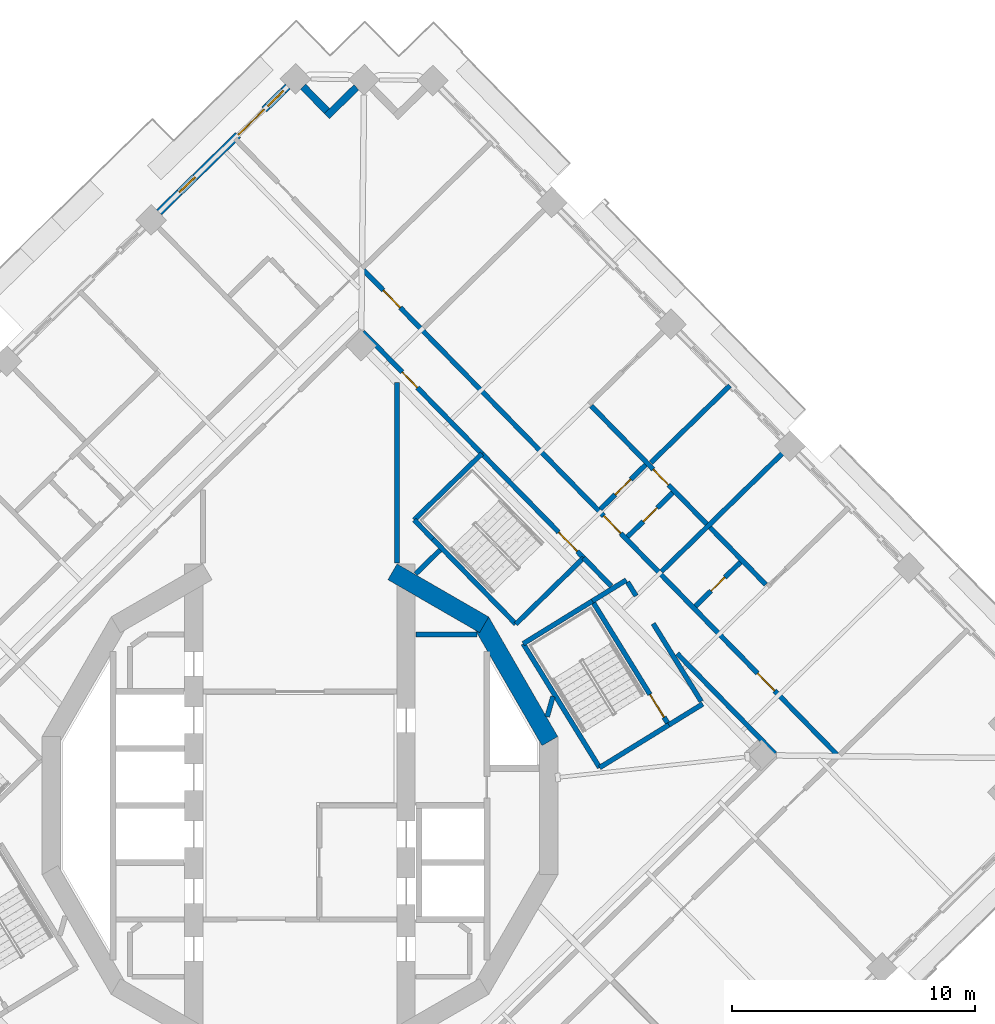
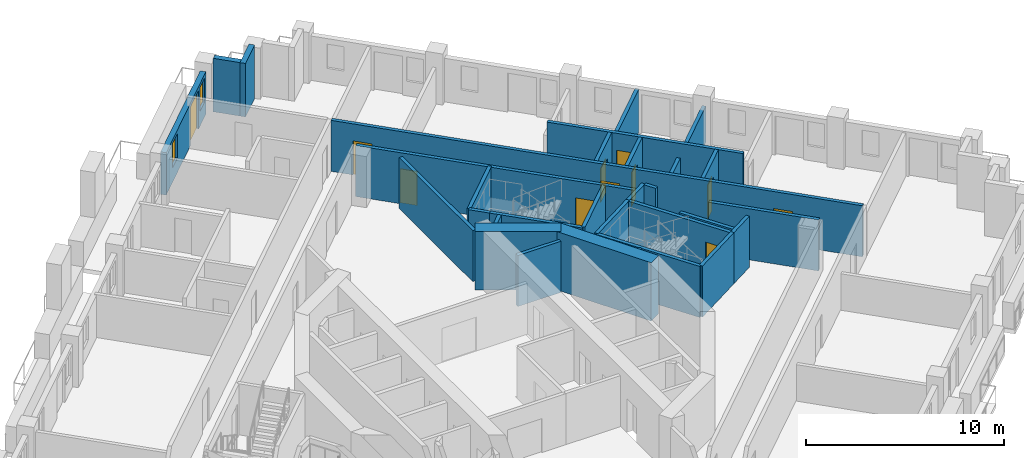
# One storey, part 11 of 19: 32 walls, 11 doors, 2 windows, 13 openings.
"""IFC4 building model written with IfcOpenShell, lengths in metres."""

from ifc_helpers import new_model, si_unit, direction, frame, frame_2d, origin, place, context, subcontext, project, spatial, rectangle, extrude, material, layer, layer_set, type_object, element, fill, save


model = new_model("IFC4")

# Units and contexts
model_context = context("Model", 3, precision=1e-05, world=origin(), true_north=direction((0.0, 1.0)))
body_context = subcontext(model_context, "Body", "Model", "MODEL_VIEW")
ifc_project = project(units=[si_unit("LENGTHUNIT", "METRE"), si_unit("AREAUNIT", "SQUARE_METRE"), si_unit("VOLUMEUNIT", "CUBIC_METRE"), si_unit("PLANEANGLEUNIT", "RADIAN"), si_unit("MASSUNIT", "GRAM", prefix="KILO")], contexts=[model_context])

# Site, building, storey
site_placement = place(None, origin())
site = spatial("IfcSite", under=ifc_project, at=site_placement, CompositionType="ELEMENT")
building_placement = place(site_placement, origin())
building = spatial("IfcBuilding", under=site, at=building_placement, Name="Cantera Rosa Tower", CompositionType="ELEMENT")
storey_placement = place(building_placement, frame((0.0, 0.0, 241.39990234375)))
storey = spatial("IfcBuildingStorey", under=building, at=storey_placement, Name="L53", CompositionType="ELEMENT", Elevation=241.39990234375)

# Walls
ifc_material_1 = material(Name="Gypsum board partition")
ifc_layer_1 = layer(ifc_material_1, 0.199951171875)
ifc_layer_set_1 = layer_set([ifc_layer_1], Name="CORRIDOR WALL 200 H2100")
wall_type_1 = type_object("IfcWallType", Name="CORRIDOR WALL 200 H2100", PredefinedType="PARTITIONING", material=ifc_layer_set_1)
wall_1_placement = place(storey_placement, frame((16.53759765625, 4.291748046875, 0.0), z_axis=(0.0, 0.0, 1.0), x_axis=(-0.524978610061, 0.85111542048, 0.0)))
element("IfcWall", 1, at=wall_1_placement, inside=storey, type_object=wall_type_1, Name="CORRIDOR WALL L53-107", PredefinedType="PARTITIONING", context=body_context, shape_type="SweptSolid", body=[
    extrude(rectangle(XDim=3.7705078125, YDim=0.199951171875, at=frame_2d((1.88525390625, 0.0))), origin(), (0.0, 0.0, 1.0), 2.10009765625),
])
ifc_material_2 = material(Name="Gypsum board partition")
ifc_layer_2 = layer(ifc_material_2, 0.199951171875)
ifc_layer_set_2 = layer_set([ifc_layer_2], Name="CORRIDOR WALL 200 H3150")
wall_type_2 = type_object("IfcWallType", Name="CORRIDOR WALL 200 H3150", PredefinedType="PARTITIONING", material=ifc_layer_set_2)
wall_2_placement = place(storey_placement, frame((4.0, 9.994140625, 0.0), z_axis=(0.0, 0.0, 1.0), x_axis=(0.0, 1.0, 0.0)))
element("IfcWall", 2, at=wall_2_placement, inside=storey, type_object=wall_type_2, Name="CORRIDOR WALL L53-074", PredefinedType="PARTITIONING", context=body_context, shape_type="SweptSolid", body=[
    extrude(rectangle(XDim=7.44775390625, YDim=0.199951171875, at=frame_2d((3.723876953125, 0.0))), origin(), (0.0, 0.0, 1.0), 3.150146484375),
])

# Wall, opening, door
wall_3_placement = place(storey_placement, frame((7.498779296875, 14.50439453125, 0.0), z_axis=(0.0, 0.0, 1.0), x_axis=(-0.69881117118, 0.715306191106, 0.0)))
wall_3 = element("IfcWall", 3, at=wall_3_placement, inside=storey, type_object=wall_type_2, Name="CORRIDOR WALL L53-085", PredefinedType="PARTITIONING", context=body_context, shape_type="SweptSolid", body=[
    extrude(rectangle(XDim=7.015625, YDim=0.199951171875, at=frame_2d((3.5078125, 0.0))), origin(), (0.0, 0.0, 1.0), 3.150146484375),
])
opening_1_placement = place(wall_3_placement, frame((3.8056640625, 0.0, 0.0)))
opening_1 = element("IfcOpeningElement", 4, at=opening_1_placement, cuts=wall_3, Name="Opening L53-007", PredefinedType="OPENING", context=body_context, shape_type="SweptSolid", body=[
    extrude(rectangle(XDim=0.89990234375, YDim=2.10009765625, at=frame_2d((0.449951171875, 1.050048828125))), frame((0.0, 0.10986328125, 0.0), z_axis=(0.0, -1.0, 0.0), x_axis=(1.0, 0.0, 0.0)), (0.0, 0.0, 1.0), 0.219970703125),
])
ifc_material_3 = material(Name="Timber door leaf", Category="wood")
door_type_1 = type_object("IfcDoorType", Name="SERVICE DOOR 900x2100", OperationType="NOTDEFINED", PredefinedType="DOOR", material=ifc_material_3)
door_1_placement = place(opening_1_placement, origin())
door_1 = element("IfcDoor", 5, at=door_1_placement, inside=storey, type_object=door_type_1, Name="DOOR L53-007", OperationType="NOTDEFINED", OverallHeight=2.10009765625, OverallWidth=0.89990234375, PredefinedType="DOOR", context=body_context, shape_type="SweptSolid", body=[
    extrude(rectangle(XDim=0.89990234375, YDim=2.10009765625, at=frame_2d((0.449951171875, 1.050048828125))), frame((0.0, 0.02490234375, 0.0), z_axis=(0.0, -1.0, 0.0), x_axis=(1.0, 0.0, 0.0)), (0.0, 0.0, 1.0), 0.050048828125),
])
fill(opening_1, door_1)

# Walls
wall_4_placement = place(storey_placement, frame((12.05078125, 8.4326171875, 0.0), z_axis=(0.0, 0.0, 1.0), x_axis=(0.851076929832, 0.525041007453, 0.0)))
element("IfcWall", 6, at=wall_4_placement, inside=storey, type_object=wall_type_2, Name="CORRIDOR WALL L53-096", PredefinedType="PARTITIONING", context=body_context, shape_type="SweptSolid", body=[
    extrude(rectangle(XDim=1.645263671875, YDim=0.199951171875, at=frame_2d((0.82275390625, 0.0))), origin(), (0.0, 0.0, 1.0), 3.150146484375),
])
wall_5_placement = place(storey_placement, frame((12.828125, 9.0498046875, 0.0), z_axis=(0.0, 0.0, 1.0), x_axis=(-0.698800279723, 0.715316831242, 0.0)))
element("IfcWall", 7, at=wall_5_placement, inside=storey, type_object=wall_type_2, Name="CORRIDOR WALL L53-102", PredefinedType="PARTITIONING", context=body_context, shape_type="SweptSolid", body=[
    extrude(rectangle(XDim=1.6259765625, YDim=0.199951171875, at=frame_2d((0.81298828125, 0.0))), origin(), (0.0, 0.0, 1.0), 3.150146484375),
])
wall_6_placement = place(storey_placement, frame((15.20068359375, 3.325927734375, 0.0), z_axis=(0.0, 0.0, 1.0), x_axis=(0.8510360128, 0.525107327047, 0.0)))
element("IfcWall", 8, at=wall_6_placement, inside=storey, type_object=wall_type_2, Name="CORRIDOR WALL L53-106", PredefinedType="PARTITIONING", context=body_context, shape_type="SweptSolid", body=[
    extrude(rectangle(XDim=1.64501953125, YDim=0.199951171875, at=frame_2d((0.822509765625, 0.0))), origin(), (0.0, 0.0, 1.0), 3.150146484375),
])
wall_7_placement = place(storey_placement, frame((13.8525390625, 8.64501953125, 0.0), z_axis=(0.0, 0.0, 1.0), x_axis=(-0.52487540685, 0.851179068871, 0.0)))
element("IfcWall", 9, at=wall_7_placement, inside=storey, type_object=wall_type_2, Name="CORRIDOR WALL L53-108", PredefinedType="PARTITIONING", context=body_context, shape_type="SweptSolid", body=[
    extrude(rectangle(XDim=0.6650390625, YDim=0.199951171875, at=frame_2d((0.33251953125, 0.0))), origin(), (0.0, 0.0, 1.0), 3.150146484375),
])
wall_8_placement = place(storey_placement, frame((19.57763671875, 2.14111328125, 0.0), z_axis=(0.0, 0.0, 1.0), x_axis=(-0.698830151438, 0.715287648042, 0.0)))
element("IfcWall", 10, at=wall_8_placement, inside=storey, type_object=wall_type_2, Name="CORRIDOR WALL L53-114", PredefinedType="PARTITIONING", context=body_context, shape_type="SweptSolid", body=[
    extrude(rectangle(XDim=5.770751953125, YDim=0.199951171875, at=frame_2d((2.88525390625, 0.0))), origin(), (0.0, 0.0, 1.0), 3.150146484375),
])

# Wall, openings, doors
wall_9_placement = place(storey_placement, frame((22.123291015625, 2.111572265625, 0.0), z_axis=(0.0, 0.0, 1.0), x_axis=(-0.698833455684, 0.715284419806, 0.0)))
wall_9 = element("IfcWall", 11, at=wall_9_placement, inside=storey, type_object=wall_type_2, Name="CORRIDOR WALL L53-115", PredefinedType="PARTITIONING", context=body_context, shape_type="SweptSolid", body=[
    extrude(rectangle(XDim=27.900146484375, YDim=0.199951171875, at=frame_2d((13.9501953125, 0.0))), origin(), (0.0, 0.0, 1.0), 3.150146484375),
])
opening_2_placement = place(wall_9_placement, frame((3.669921875, 0.0, 0.0)))
opening_2 = element("IfcOpeningElement", 12, at=opening_2_placement, cuts=wall_9, Name="Opening L53-022", PredefinedType="OPENING", context=body_context, shape_type="SweptSolid", body=[
    extrude(rectangle(XDim=1.0, YDim=2.10009765625, at=frame_2d((0.5, 1.050048828125))), frame((0.0, 0.10986328125, 0.0), z_axis=(0.0, -1.0, 0.0), x_axis=(1.0, 0.0, 0.0)), (0.0, 0.0, 1.0), 0.219970703125),
])
opening_3_placement = place(wall_9_placement, frame((12.739990234375, 0.0, 0.0)))
opening_3 = element("IfcOpeningElement", 13, at=opening_3_placement, cuts=wall_9, Name="Opening L53-025", PredefinedType="OPENING", context=body_context, shape_type="SweptSolid", body=[
    extrude(rectangle(XDim=1.0, YDim=2.10009765625, at=frame_2d((0.5, 1.050048828125))), frame((0.0, 0.10986328125, 0.0), z_axis=(0.0, -1.0, 0.0), x_axis=(1.0, 0.0, 0.0)), (0.0, 0.0, 1.0), 0.219970703125),
])
opening_4_placement = place(wall_9_placement, frame((25.739990234375, 0.0, 0.0)))
opening_4 = element("IfcOpeningElement", 14, at=opening_4_placement, cuts=wall_9, Name="Opening L53-030", PredefinedType="OPENING", context=body_context, shape_type="SweptSolid", body=[
    extrude(rectangle(XDim=1.0, YDim=2.10009765625, at=frame_2d((0.5, 1.050048828125))), frame((0.0, 0.10986328125, 0.0), z_axis=(0.0, -1.0, 0.0), x_axis=(1.0, 0.0, 0.0)), (0.0, 0.0, 1.0), 0.219970703125),
])
ifc_material_4 = material(Name="Timber door leaf", Category="wood")
door_type_2 = type_object("IfcDoorType", Name="ENTRANCE DOOR 1000x2100", OperationType="NOTDEFINED", PredefinedType="DOOR", material=ifc_material_4)
door_2_placement = place(opening_2_placement, origin())
door_2 = element("IfcDoor", 15, at=door_2_placement, inside=storey, type_object=door_type_2, Name="DOOR L53-022", OperationType="NOTDEFINED", OverallHeight=2.10009765625, OverallWidth=1.0, PredefinedType="DOOR", context=body_context, shape_type="SweptSolid", body=[
    extrude(rectangle(XDim=1.0, YDim=2.10009765625, at=frame_2d((0.5, 1.050048828125))), frame((0.0, 0.02490234375, 0.0), z_axis=(0.0, -1.0, 0.0), x_axis=(1.0, 0.0, 0.0)), (0.0, 0.0, 1.0), 0.050048828125),
])
fill(opening_2, door_2)
door_3_placement = place(opening_3_placement, origin())
door_3 = element("IfcDoor", 16, at=door_3_placement, inside=storey, type_object=door_type_2, Name="DOOR L53-025", OperationType="NOTDEFINED", OverallHeight=2.10009765625, OverallWidth=1.0, PredefinedType="DOOR", context=body_context, shape_type="SweptSolid", body=[
    extrude(rectangle(XDim=1.0, YDim=2.10009765625, at=frame_2d((0.5, 1.050048828125))), frame((0.0, 0.02490234375, 0.0), z_axis=(0.0, -1.0, 0.0), x_axis=(1.0, 0.0, 0.0)), (0.0, 0.0, 1.0), 0.050048828125),
])
fill(opening_3, door_3)
ifc_material_5 = material(Name="Timber door leaf", Category="wood")
door_type_3 = type_object("IfcDoorType", Name="ROOM DOOR 1000x2100", OperationType="NOTDEFINED", PredefinedType="DOOR", material=ifc_material_5)
door_4_placement = place(opening_4_placement, origin())
door_4 = element("IfcDoor", 17, at=door_4_placement, inside=storey, type_object=door_type_3, Name="DOOR L53-030", OperationType="NOTDEFINED", OverallHeight=2.10009765625, OverallWidth=1.0, PredefinedType="DOOR", context=body_context, shape_type="SweptSolid", body=[
    extrude(rectangle(XDim=1.0, YDim=2.10009765625, at=frame_2d((0.5, 1.050048828125))), frame((0.0, 0.02490234375, 0.0), z_axis=(0.0, -1.0, 0.0), x_axis=(1.0, 0.0, 0.0)), (0.0, 0.0, 1.0), 0.050048828125),
])
fill(opening_4, door_4)

# Walls
ifc_material_6 = material(Name="Hollow clay masonry with cantera stone cladding", Category="masonry")
ifc_layer_3 = layer(ifc_material_6, 0.300048828125)
ifc_layer_set_3 = layer_set([ifc_layer_3], Name="EW-LOGGIA 300")
wall_type_3 = type_object("IfcWallType", Name="EW-LOGGIA 300", PredefinedType="SOLIDWALL", material=ifc_layer_set_3)
wall_10_placement = place(storey_placement, frame((2.324462890625, 29.602783203125, 0.0), z_axis=(0.0, 0.0, 1.0), x_axis=(-0.715316077832, -0.69880105094, 0.0)))
element("IfcWall", 18, at=wall_10_placement, inside=storey, type_object=wall_type_3, Name="EN-L53-W06a", PredefinedType="SOLIDWALL", context=body_context, shape_type="SweptSolid", body=[
    extrude(rectangle(XDim=1.699951171875, YDim=0.300048828125, at=frame_2d((0.85009765625, 0.0))), origin(), (0.0, 0.0, 1.0), 3.300048828125),
])
wall_11_placement = place(storey_placement, frame((1.111083984375, 28.626953125, 0.0), z_axis=(0.0, 0.0, 1.0), x_axis=(-0.698951192766, 0.71516937164, 0.0)))
element("IfcWall", 19, at=wall_11_placement, inside=storey, type_object=wall_type_3, Name="EN-L53-W06b", PredefinedType="SOLIDWALL", context=body_context, shape_type="SweptSolid", body=[
    extrude(rectangle(XDim=1.39990234375, YDim=0.300048828125, at=frame_2d((0.699951171875, 0.0))), origin(), (0.0, 0.0, 1.0), 3.300048828125),
])

# Wall, openings, windows, door
ifc_material_7 = material(Name="Hollow clay masonry with cantera stone cladding", Category="masonry")
ifc_layer_4 = layer(ifc_material_7, 0.300048828125)
ifc_layer_set_4 = layer_set([ifc_layer_4], Name="EW-LOGGIA 300 H2620")
wall_type_4 = type_object("IfcWallType", Name="EW-LOGGIA 300 H2620", PredefinedType="SOLIDWALL", material=ifc_layer_set_4)
wall_12_placement = place(storey_placement, frame((-0.503662109375, 29.6357421875, 0.0), z_axis=(0.0, 0.0, 1.0), x_axis=(-0.715284379566, -0.698833496871, 0.0)))
wall_12 = element("IfcWall", 20, at=wall_12_placement, inside=storey, type_object=wall_type_4, Name="EN-L53-W07", PredefinedType="SOLIDWALL", context=body_context, shape_type="SweptSolid", body=[
    extrude(rectangle(XDim=7.42041015625, YDim=0.300048828125, at=frame_2d((3.710205078125, 0.0))), origin(), (0.0, 0.0, 1.0), 2.6201171875),
])
opening_5_placement = place(wall_12_placement, frame((0.25, 0.0, 0.89990234375)))
opening_5 = element("IfcOpeningElement", 21, at=opening_5_placement, cuts=wall_12, Name="Opening L53-W13", PredefinedType="OPENING", context=body_context, shape_type="SweptSolid", body=[
    extrude(rectangle(XDim=0.89990234375, YDim=1.5, at=frame_2d((0.449951171875, 0.75))), frame((0.0, 0.159912109375, 0.0), z_axis=(0.0, -1.0, 0.0), x_axis=(1.0, 0.0, 0.0)), (0.0, 0.0, 1.0), 0.320068359375),
])
opening_6_placement = place(wall_12_placement, frame((1.35009765625, 0.0, 0.0)))
opening_6 = element("IfcOpeningElement", 22, at=opening_6_placement, cuts=wall_12, Name="Opening L53-TD14", PredefinedType="OPENING", context=body_context, shape_type="SweptSolid", body=[
    extrude(rectangle(XDim=1.5, YDim=2.39990234375, at=frame_2d((0.75, 1.199951171875))), frame((0.0, 0.159912109375, 0.0), z_axis=(0.0, -1.0, 0.0), x_axis=(1.0, 0.0, 0.0)), (0.0, 0.0, 1.0), 0.320068359375),
])
opening_7_placement = place(wall_12_placement, frame((5.340087890625, 0.0, 0.89990234375)))
opening_7 = element("IfcOpeningElement", 23, at=opening_7_placement, cuts=wall_12, Name="Opening L53-W15", PredefinedType="OPENING", context=body_context, shape_type="SweptSolid", body=[
    extrude(rectangle(XDim=0.89990234375, YDim=1.5, at=frame_2d((0.449951171875, 0.75))), frame((0.0, 0.159912109375, 0.0), z_axis=(0.0, -1.0, 0.0), x_axis=(1.0, 0.0, 0.0)), (0.0, 0.0, 1.0), 0.320068359375),
])
ifc_material_8 = material(Name="Aluminium frame with clear glass", Category="aluminium")
window_type = type_object("IfcWindowType", Name="Residential window 900x1500", PartitioningType="SINGLE_PANEL", PredefinedType="WINDOW", material=ifc_material_8)
window_1_placement = place(opening_5_placement, origin())
window_1 = element("IfcWindow", 24, at=window_1_placement, inside=storey, type_object=window_type, Name="WINDOW L53-W13", OverallHeight=1.5, OverallWidth=0.89990234375, PartitioningType="SINGLE_PANEL", PredefinedType="WINDOW", context=body_context, shape_type="SweptSolid", body=[
    extrude(rectangle(XDim=0.89990234375, YDim=1.5, at=frame_2d((0.449951171875, 0.75))), frame((0.0, 0.030029296875, 0.0), z_axis=(0.0, -1.0, 0.0), x_axis=(1.0, 0.0, 0.0)), (0.0, 0.0, 1.0), 0.06005859375),
])
fill(opening_5, window_1)
window_2_placement = place(opening_7_placement, origin())
window_2 = element("IfcWindow", 25, at=window_2_placement, inside=storey, type_object=window_type, Name="WINDOW L53-W15", OverallHeight=1.5, OverallWidth=0.89990234375, PartitioningType="SINGLE_PANEL", PredefinedType="WINDOW", context=body_context, shape_type="SweptSolid", body=[
    extrude(rectangle(XDim=0.89990234375, YDim=1.5, at=frame_2d((0.449951171875, 0.75))), frame((0.0, 0.030029296875, 0.0), z_axis=(0.0, -1.0, 0.0), x_axis=(1.0, 0.0, 0.0)), (0.0, 0.0, 1.0), 0.06005859375),
])
fill(opening_7, window_2)
ifc_material_9 = material(Name="Aluminium frame with clear glass", Category="aluminium")
door_type_4 = type_object("IfcDoorType", Name="TD-R 1500x2400", OperationType="NOTDEFINED", PredefinedType="DOOR", material=ifc_material_9)
door_5_placement = place(opening_6_placement, origin())
door_5 = element("IfcDoor", 26, at=door_5_placement, inside=storey, type_object=door_type_4, Name="LOGGIA DOOR L53-TD14", OperationType="SLIDING_TO_LEFT", OverallHeight=2.39990234375, OverallWidth=1.5, PredefinedType="DOOR", context=body_context, shape_type="SweptSolid", body=[
    extrude(rectangle(XDim=1.5, YDim=2.39990234375, at=frame_2d((0.75, 1.199951171875))), frame((0.0, 0.02490234375, 0.0), z_axis=(0.0, -1.0, 0.0), x_axis=(1.0, 0.0, 0.0)), (0.0, 0.0, 1.0), 0.050048828125),
])
fill(opening_6, door_5)

# Walls
ifc_material_10 = material(Name="Gypsum board partition")
ifc_layer_5 = layer(ifc_material_10, 0.199951171875)
ifc_layer_set_5 = layer_set([ifc_layer_5], Name="PARTITION 200 H2650")
wall_type_5 = type_object("IfcWallType", Name="PARTITION 200 H2650", PredefinedType="PARTITIONING", material=ifc_layer_set_5)
wall_13_placement = place(storey_placement, frame((14.463134765625, 14.13037109375, 0.0), z_axis=(0.0, 0.0, 1.0), x_axis=(0.715268883314, 0.698849357561, 0.0)))
element("IfcWall", 27, at=wall_13_placement, inside=storey, type_object=wall_type_5, Name="PARTITION L53-104", PredefinedType="PARTITIONING", context=body_context, shape_type="SweptSolid", body=[
    extrude(rectangle(XDim=4.5498046875, YDim=0.199951171875, at=frame_2d((2.27490234375, 0.0))), origin(), (0.0, 0.0, 1.0), 2.650146484375),
])
ifc_material_11 = material(Name="Gypsum board partition")
ifc_layer_6 = layer(ifc_material_11, 0.199951171875)
ifc_layer_set_6 = layer_set([ifc_layer_6], Name="PARTITION 200 H3150")
wall_type_6 = type_object("IfcWallType", Name="PARTITION 200 H3150", PredefinedType="PARTITIONING", material=ifc_layer_set_6)
wall_14_placement = place(storey_placement, frame((4.780029296875, 7.050048828125, 0.0), z_axis=(0.0, 0.0, 1.0), x_axis=(1.0, 0.0, 0.0)))
element("IfcWall", 28, at=wall_14_placement, inside=storey, type_object=wall_type_6, Name="PARTITION L53-077", PredefinedType="PARTITIONING", context=body_context, shape_type="SweptSolid", body=[
    extrude(rectangle(XDim=2.517822265625, YDim=0.199951171875, at=frame_2d((1.2587890625, 0.0))), origin(), (0.0, 0.0, 1.0), 3.150146484375),
])
wall_15_placement = place(storey_placement, frame((5.776123046875, 10.536376953125, 0.0), z_axis=(0.0, 0.0, 1.0), x_axis=(-0.715283583322, -0.698834311858, 0.0)))
element("IfcWall", 29, at=wall_15_placement, inside=storey, type_object=wall_type_6, Name="PARTITION L53-080", PredefinedType="PARTITIONING", context=body_context, shape_type="SweptSolid", body=[
    extrude(rectangle(XDim=1.409912109375, YDim=0.199951171875, at=frame_2d((0.705078125, 0.0))), origin(), (0.0, 0.0, 1.0), 3.150146484375),
])
wall_16_placement = place(storey_placement, frame((10.188720703125, 3.6630859375, 0.0), z_axis=(0.0, 0.0, 1.0), x_axis=(0.272940472287, 0.962030923925, 0.0)))
element("IfcWall", 30, at=wall_16_placement, inside=storey, type_object=wall_type_6, Name="PARTITION L53-092", PredefinedType="PARTITIONING", context=body_context, shape_type="SweptSolid", body=[
    extrude(rectangle(XDim=0.869384765625, YDim=0.199951171875, at=frame_2d((0.4345703125, 0.0))), origin(), (0.0, 0.0, 1.0), 3.150146484375),
])

# Wall, opening, door
wall_17_placement = place(storey_placement, frame((12.383056640625, 12.22412109375, 0.0), z_axis=(0.0, 0.0, 1.0), x_axis=(0.715321599766, 0.698795398459, 0.0)))
wall_17 = element("IfcWall", 31, at=wall_17_placement, inside=storey, type_object=wall_type_6, Name="PARTITION L53-098", PredefinedType="PARTITIONING", context=body_context, shape_type="SweptSolid", body=[
    extrude(rectangle(XDim=2.60009765625, YDim=0.199951171875, at=frame_2d((1.300048828125, 0.0))), origin(), (0.0, 0.0, 1.0), 3.150146484375),
])
opening_8_placement = place(wall_17_placement, frame((0.85009765625, 0.0, 0.0)))
opening_8 = element("IfcOpeningElement", 32, at=opening_8_placement, cuts=wall_17, Name="Opening L53-027", PredefinedType="OPENING", context=body_context, shape_type="SweptSolid", body=[
    extrude(rectangle(XDim=0.89990234375, YDim=2.10009765625, at=frame_2d((0.449951171875, 1.050048828125))), frame((0.0, 0.10986328125, 0.0), z_axis=(0.0, -1.0, 0.0), x_axis=(1.0, 0.0, 0.0)), (0.0, 0.0, 1.0), 0.219970703125),
])
ifc_material_12 = material(Name="Timber door leaf", Category="wood")
door_type_5 = type_object("IfcDoorType", Name="ROOM DOOR 900x2100", OperationType="NOTDEFINED", PredefinedType="DOOR", material=ifc_material_12)
door_6_placement = place(opening_8_placement, origin())
door_6 = element("IfcDoor", 33, at=door_6_placement, inside=storey, type_object=door_type_5, Name="DOOR L53-027", OperationType="NOTDEFINED", OverallHeight=2.10009765625, OverallWidth=0.89990234375, PredefinedType="DOOR", context=body_context, shape_type="SweptSolid", body=[
    extrude(rectangle(XDim=0.89990234375, YDim=2.10009765625, at=frame_2d((0.449951171875, 1.050048828125))), frame((0.0, 0.02490234375, 0.0), z_axis=(0.0, -1.0, 0.0), x_axis=(1.0, 0.0, 0.0)), (0.0, 0.0, 1.0), 0.050048828125),
])
fill(opening_8, door_6)

wall_18_placement = place(storey_placement, frame((13.501220703125, 11.07958984375, 0.0), z_axis=(0.0, 0.0, 1.0), x_axis=(0.715321599766, 0.698795398459, 0.0)))
wall_18 = element("IfcWall", 34, at=wall_18_placement, inside=storey, type_object=wall_type_6, Name="PARTITION L53-103", PredefinedType="PARTITIONING", context=body_context, shape_type="SweptSolid", body=[
    extrude(rectangle(XDim=2.60009765625, YDim=0.199951171875, at=frame_2d((1.300048828125, 0.0))), origin(), (0.0, 0.0, 1.0), 3.150146484375),
])
opening_9_placement = place(wall_18_placement, frame((0.89990234375, 0.0, 0.0)))
opening_9 = element("IfcOpeningElement", 35, at=opening_9_placement, cuts=wall_18, Name="Opening L53-026", PredefinedType="OPENING", context=body_context, shape_type="SweptSolid", body=[
    extrude(rectangle(XDim=0.800048828125, YDim=2.10009765625, at=frame_2d((0.39990234375, 1.050048828125))), frame((0.0, 0.10986328125, 0.0), z_axis=(0.0, -1.0, 0.0), x_axis=(1.0, 0.0, 0.0)), (0.0, 0.0, 1.0), 0.219970703125),
])
ifc_material_13 = material(Name="Timber door leaf", Category="wood")
door_type_6 = type_object("IfcDoorType", Name="BATHROOM DOOR 800x2100", OperationType="NOTDEFINED", PredefinedType="DOOR", material=ifc_material_13)
door_7_placement = place(opening_9_placement, origin())
door_7 = element("IfcDoor", 36, at=door_7_placement, inside=storey, type_object=door_type_6, Name="DOOR L53-026", OperationType="NOTDEFINED", OverallHeight=2.10009765625, OverallWidth=0.800048828125, PredefinedType="DOOR", context=body_context, shape_type="SweptSolid", body=[
    extrude(rectangle(XDim=0.800048828125, YDim=2.10009765625, at=frame_2d((0.39990234375, 1.050048828125))), frame((0.0, 0.02490234375, 0.0), z_axis=(0.0, -1.0, 0.0), x_axis=(1.0, 0.0, 0.0)), (0.0, 0.0, 1.0), 0.050048828125),
])
fill(opening_9, door_7)

wall_19_placement = place(storey_placement, frame((18.15625, 10.035400390625, 0.0), z_axis=(0.0, 0.0, 1.0), x_axis=(-0.715321599766, -0.698795398459, 0.0)))
wall_19 = element("IfcWall", 37, at=wall_19_placement, inside=storey, type_object=wall_type_6, Name="PARTITION L53-109", PredefinedType="PARTITIONING", context=body_context, shape_type="SweptSolid", body=[
    extrude(rectangle(XDim=2.60009765625, YDim=0.199951171875, at=frame_2d((1.300048828125, 0.0))), origin(), (0.0, 0.0, 1.0), 3.150146484375),
])
opening_10_placement = place(wall_19_placement, frame((0.89990234375, 0.0, 0.0)))
opening_10 = element("IfcOpeningElement", 38, at=opening_10_placement, cuts=wall_19, Name="Opening L53-023", PredefinedType="OPENING", context=body_context, shape_type="SweptSolid", body=[
    extrude(rectangle(XDim=0.800048828125, YDim=2.10009765625, at=frame_2d((0.39990234375, 1.050048828125))), frame((0.0, 0.10986328125, 0.0), z_axis=(0.0, -1.0, 0.0), x_axis=(1.0, 0.0, 0.0)), (0.0, 0.0, 1.0), 0.219970703125),
])
door_8_placement = place(opening_10_placement, origin())
door_8 = element("IfcDoor", 39, at=door_8_placement, inside=storey, type_object=door_type_6, Name="DOOR L53-023", OperationType="NOTDEFINED", OverallHeight=2.10009765625, OverallWidth=0.800048828125, PredefinedType="DOOR", context=body_context, shape_type="SweptSolid", body=[
    extrude(rectangle(XDim=0.800048828125, YDim=2.10009765625, at=frame_2d((0.39990234375, 1.050048828125))), frame((0.0, 0.02490234375, 0.0), z_axis=(0.0, -1.0, 0.0), x_axis=(1.0, 0.0, 0.0)), (0.0, 0.0, 1.0), 0.050048828125),
])
fill(opening_10, door_8)

wall_20_placement = place(storey_placement, frame((19.19921875, 9.111083984375, 0.0), z_axis=(0.0, 0.0, 1.0), x_axis=(-0.698837785219, 0.715280189821, 0.0)))
wall_20 = element("IfcWall", 40, at=wall_20_placement, inside=storey, type_object=wall_type_6, Name="PARTITION L53-113", PredefinedType="PARTITIONING", context=body_context, shape_type="SweptSolid", body=[
    extrude(rectangle(XDim=10.289794921875, YDim=0.199951171875, at=frame_2d((5.14501953125, 0.0))), origin(), (0.0, 0.0, 1.0), 3.150146484375),
])
opening_11_placement = place(wall_20_placement, frame((5.739990234375, 0.0, 0.0)))
opening_11 = element("IfcOpeningElement", 41, at=opening_11_placement, cuts=wall_20, Name="Opening L53-028", PredefinedType="OPENING", context=body_context, shape_type="SweptSolid", body=[
    extrude(rectangle(XDim=0.89990234375, YDim=2.10009765625, at=frame_2d((0.449951171875, 1.050048828125))), frame((0.0, 0.10986328125, 0.0), z_axis=(0.0, -1.0, 0.0), x_axis=(1.0, 0.0, 0.0)), (0.0, 0.0, 1.0), 0.219970703125),
])
door_9_placement = place(opening_11_placement, origin())
door_9 = element("IfcDoor", 42, at=door_9_placement, inside=storey, type_object=door_type_5, Name="DOOR L53-028", OperationType="NOTDEFINED", OverallHeight=2.10009765625, OverallWidth=0.89990234375, PredefinedType="DOOR", context=body_context, shape_type="SweptSolid", body=[
    extrude(rectangle(XDim=0.89990234375, YDim=2.10009765625, at=frame_2d((0.449951171875, 1.050048828125))), frame((0.0, 0.02490234375, 0.0), z_axis=(0.0, -1.0, 0.0), x_axis=(1.0, 0.0, 0.0)), (0.0, 0.0, 1.0), 0.050048828125),
])
fill(opening_11, door_9)

# Walls
ifc_material_14 = material(Name="Gypsum board partition")
ifc_layer_7 = layer(ifc_material_14, 0.199951171875)
ifc_layer_set_7 = layer_set([ifc_layer_7], Name="PARTY WALL 200 H2250")
wall_type_7 = type_object("IfcWallType", Name="PARTY WALL 200 H2250", PredefinedType="PARTITIONING", material=ifc_layer_set_7)
wall_21_placement = place(storey_placement, frame((14.89892578125, 9.64892578125, 0.0), z_axis=(0.0, 0.0, 1.0), x_axis=(0.715274508116, 0.698843600557, 0.0)))
element("IfcWall", 43, at=wall_21_placement, inside=storey, type_object=wall_type_7, Name="PARTY WALL L53-105", PredefinedType="PARTITIONING", context=body_context, shape_type="SweptSolid", body=[
    extrude(rectangle(XDim=7.369873046875, YDim=0.199951171875, at=frame_2d((3.68505859375, 0.0))), origin(), (0.0, 0.0, 1.0), 2.25),
])
ifc_material_15 = material(Name="Concrete C60/75", Category="concrete")
ifc_layer_8 = layer(ifc_material_15, 0.75)
ifc_layer_set_8 = layer_set([ifc_layer_8], Name="RC CORE WALL 750 C60/75")
wall_type_8 = type_object("IfcWallType", Name="RC CORE WALL 750 C60/75", PredefinedType="SHEAR", material=ifc_layer_set_8)
wall_22_placement = place(storey_placement, frame((3.8125, 9.634765625, 0.0), z_axis=(0.0, 0.0, 1.0), x_axis=(0.866013176292, -0.50002117804, 0.0)))
element("IfcWall", 44, at=wall_22_placement, inside=storey, type_object=wall_type_8, Name="CW-E1 L53", PredefinedType="SHEAR", context=body_context, shape_type="SweptSolid", body=[
    extrude(rectangle(XDim=4.362548828125, YDim=0.75, at=frame_2d((2.18115234375, 0.0))), origin(), (0.0, 0.0, 1.0), 3.60009765625),
])
wall_23_placement = place(storey_placement, frame((7.453369140625, 7.590576171875, 0.0), z_axis=(0.0, 0.0, 1.0), x_axis=(0.500021842983, -0.866012792365, 0.0)))
element("IfcWall", 45, at=wall_23_placement, inside=storey, type_object=wall_type_8, Name="CW-E2 L53", PredefinedType="SHEAR", context=body_context, shape_type="SweptSolid", body=[
    extrude(rectangle(XDim=5.694091796875, YDim=0.75, at=frame_2d((2.84716796875, 0.0))), origin(), (0.0, 0.0, 1.0), 3.60009765625),
])
ifc_material_16 = material(Name="Concrete C50/60", Category="concrete")
ifc_layer_9 = layer(ifc_material_16, 0.199951171875)
ifc_layer_set_9 = layer_set([ifc_layer_9], Name="STAIR WALL 200 H3150")
wall_type_9 = type_object("IfcWallType", Name="STAIR WALL 200 H3150", PredefinedType="SOLIDWALL", material=ifc_layer_set_9)
wall_24_placement = place(storey_placement, frame((4.705322265625, 11.775390625, 0.0), z_axis=(0.0, 0.0, 1.0), x_axis=(0.698847807351, -0.715270397934, 0.0)))
element("IfcWall", 46, at=wall_24_placement, inside=storey, type_object=wall_type_9, Name="STAIR WALL L53-075", PredefinedType="SOLIDWALL", context=body_context, shape_type="SweptSolid", body=[
    extrude(rectangle(XDim=1.10009765625, YDim=0.199951171875, at=frame_2d((0.550048828125, 0.0))), origin(), (0.0, 0.0, 1.0), 3.150146484375),
])
wall_25_placement = place(storey_placement, frame((7.498779296875, 14.50439453125, 0.0), z_axis=(0.0, 0.0, 1.0), x_axis=(-0.715310770212, -0.698806483956, 0.0)))
element("IfcWall", 47, at=wall_25_placement, inside=storey, type_object=wall_type_9, Name="STAIR WALL L53-086", PredefinedType="SOLIDWALL", context=body_context, shape_type="SweptSolid", body=[
    extrude(rectangle(XDim=3.9052734375, YDim=0.199951171875, at=frame_2d((1.95263671875, 0.0))), origin(), (0.0, 0.0, 1.0), 3.150146484375),
])
wall_26_placement = place(storey_placement, frame((9.199462890625, 6.674072265625, 0.0), z_axis=(0.0, 0.0, 1.0), x_axis=(0.85113993661, 0.524938861495, 0.0)))
element("IfcWall", 48, at=wall_26_placement, inside=storey, type_object=wall_type_9, Name="STAIR WALL L53-091", PredefinedType="SOLIDWALL", context=body_context, shape_type="SweptSolid", body=[
    extrude(rectangle(XDim=3.35009765625, YDim=0.199951171875, at=frame_2d((1.675048828125, 0.0))), origin(), (0.0, 0.0, 1.0), 3.150146484375),
])

# Wall, opening, door
wall_27_placement = place(storey_placement, frame((11.69189453125, 10.212890625, 0.0), z_axis=(0.0, 0.0, 1.0), x_axis=(-0.698860098963, 0.71525838833, 0.0)))
wall_27 = element("IfcWall", 49, at=wall_27_placement, inside=storey, type_object=wall_type_9, Name="STAIR WALL L53-093", PredefinedType="SOLIDWALL", context=body_context, shape_type="SweptSolid", body=[
    extrude(rectangle(XDim=6.0, YDim=0.199951171875, at=frame_2d((3.0, 0.0))), origin(), (0.0, 0.0, 1.0), 3.150146484375),
])
opening_12_placement = place(wall_27_placement, frame((0.375, 0.0, 0.0)))
opening_12 = element("IfcOpeningElement", 50, at=opening_12_placement, cuts=wall_27, Name="Opening L53-003", PredefinedType="OPENING", context=body_context, shape_type="SweptSolid", body=[
    extrude(rectangle(XDim=1.10009765625, YDim=2.10009765625, at=frame_2d((0.550048828125, 1.050048828125))), frame((0.0, 0.10986328125, 0.0), z_axis=(0.0, -1.0, 0.0), x_axis=(1.0, 0.0, 0.0)), (0.0, 0.0, 1.0), 0.219970703125),
])
ifc_material_17 = material(Name="Steel S355J2 (EN 10025-2)", Category="steel")
door_type_7 = type_object("IfcDoorType", Name="STAIR DOOR 1100x2100", OperationType="NOTDEFINED", PredefinedType="DOOR", material=ifc_material_17)
door_10_placement = place(opening_12_placement, origin())
door_10 = element("IfcDoor", 51, at=door_10_placement, inside=storey, type_object=door_type_7, Name="DOOR L53-003", OperationType="NOTDEFINED", OverallHeight=2.10009765625, OverallWidth=1.10009765625, PredefinedType="DOOR", context=body_context, shape_type="SweptSolid", body=[
    extrude(rectangle(XDim=1.10009765625, YDim=2.10009765625, at=frame_2d((0.550048828125, 1.050048828125))), frame((0.0, 0.02490234375, 0.0), z_axis=(0.0, -1.0, 0.0), x_axis=(1.0, 0.0, 0.0)), (0.0, 0.0, 1.0), 0.050048828125),
])
fill(opening_12, door_10)

# Wall
wall_28_placement = place(storey_placement, frame((11.69189453125, 10.212890625, 0.0), z_axis=(0.0, 0.0, 1.0), x_axis=(-0.715279521258, -0.698838469511, 0.0)))
element("IfcWall", 52, at=wall_28_placement, inside=storey, type_object=wall_type_9, Name="STAIR WALL L53-094", PredefinedType="SOLIDWALL", context=body_context, shape_type="SweptSolid", body=[
    extrude(rectangle(XDim=3.905517578125, YDim=0.199951171875, at=frame_2d((1.95263671875, 0.0))), origin(), (0.0, 0.0, 1.0), 3.150146484375),
])

# Wall, opening, door
wall_29_placement = place(storey_placement, frame((12.05078125, 8.4326171875, 0.0), z_axis=(0.0, 0.0, 1.0), x_axis=(0.524982543144, -0.851112994493, 0.0)))
wall_29 = element("IfcWall", 53, at=wall_29_placement, inside=storey, type_object=wall_type_9, Name="STAIR WALL L53-097", PredefinedType="SOLIDWALL", context=body_context, shape_type="SweptSolid", body=[
    extrude(rectangle(XDim=6.0, YDim=0.199951171875, at=frame_2d((3.0, 0.0))), origin(), (0.0, 0.0, 1.0), 3.150146484375),
])
opening_13_placement = place(wall_29_placement, frame((4.52490234375, 0.0, 0.0)))
opening_13 = element("IfcOpeningElement", 54, at=opening_13_placement, cuts=wall_29, Name="Opening L53-001", PredefinedType="OPENING", context=body_context, shape_type="SweptSolid", body=[
    extrude(rectangle(XDim=1.10009765625, YDim=2.10009765625, at=frame_2d((0.550048828125, 1.050048828125))), frame((0.0, 0.10986328125, 0.0), z_axis=(0.0, -1.0, 0.0), x_axis=(1.0, 0.0, 0.0)), (0.0, 0.0, 1.0), 0.219970703125),
])
door_11_placement = place(opening_13_placement, origin())
door_11 = element("IfcDoor", 55, at=door_11_placement, inside=storey, type_object=door_type_7, Name="DOOR L53-001", OperationType="NOTDEFINED", OverallHeight=2.10009765625, OverallWidth=1.10009765625, PredefinedType="DOOR", context=body_context, shape_type="SweptSolid", body=[
    extrude(rectangle(XDim=1.10009765625, YDim=2.10009765625, at=frame_2d((0.550048828125, 1.050048828125))), frame((0.0, 0.02490234375, 0.0), z_axis=(0.0, -1.0, 0.0), x_axis=(1.0, 0.0, 0.0)), (0.0, 0.0, 1.0), 0.050048828125),
])
fill(opening_13, door_11)

# Walls
wall_30_placement = place(storey_placement, frame((12.349365234375, 1.5673828125, 0.0), z_axis=(0.0, 0.0, 1.0), x_axis=(-0.524982543144, 0.851112994493, 0.0)))
element("IfcWall", 56, at=wall_30_placement, inside=storey, type_object=wall_type_9, Name="STAIR WALL L53-099", PredefinedType="SOLIDWALL", context=body_context, shape_type="SweptSolid", body=[
    extrude(rectangle(XDim=6.0, YDim=0.199951171875, at=frame_2d((3.0, 0.0))), origin(), (0.0, 0.0, 1.0), 3.150146484375),
])
wall_31_placement = place(storey_placement, frame((12.349365234375, 1.5673828125, 0.0), z_axis=(0.0, 0.0, 1.0), x_axis=(0.85113993661, 0.524938861495, 0.0)))
element("IfcWall", 57, at=wall_31_placement, inside=storey, type_object=wall_type_9, Name="STAIR WALL L53-100", PredefinedType="SOLIDWALL", context=body_context, shape_type="SweptSolid", body=[
    extrude(rectangle(XDim=3.35009765625, YDim=0.199951171875, at=frame_2d((1.675048828125, 0.0))), origin(), (0.0, 0.0, 1.0), 3.150146484375),
])
wall_32_placement = place(storey_placement, frame((5.47412109375, 10.988525390625, 0.0), z_axis=(0.0, 0.0, 1.0), x_axis=(0.698837952642, -0.715280026246, 0.0)))
element("IfcWall", 58, at=wall_32_placement, inside=storey, type_object=wall_type_9, Name="STAIR WALL L53-075 J", PredefinedType="SOLIDWALL", context=body_context, shape_type="SweptSolid", body=[
    extrude(rectangle(XDim=4.89990234375, YDim=0.199951171875, at=frame_2d((2.449951171875, 0.0))), origin(), (0.0, 0.0, 1.0), 3.150146484375),
])

save(model, "model.ifc")
